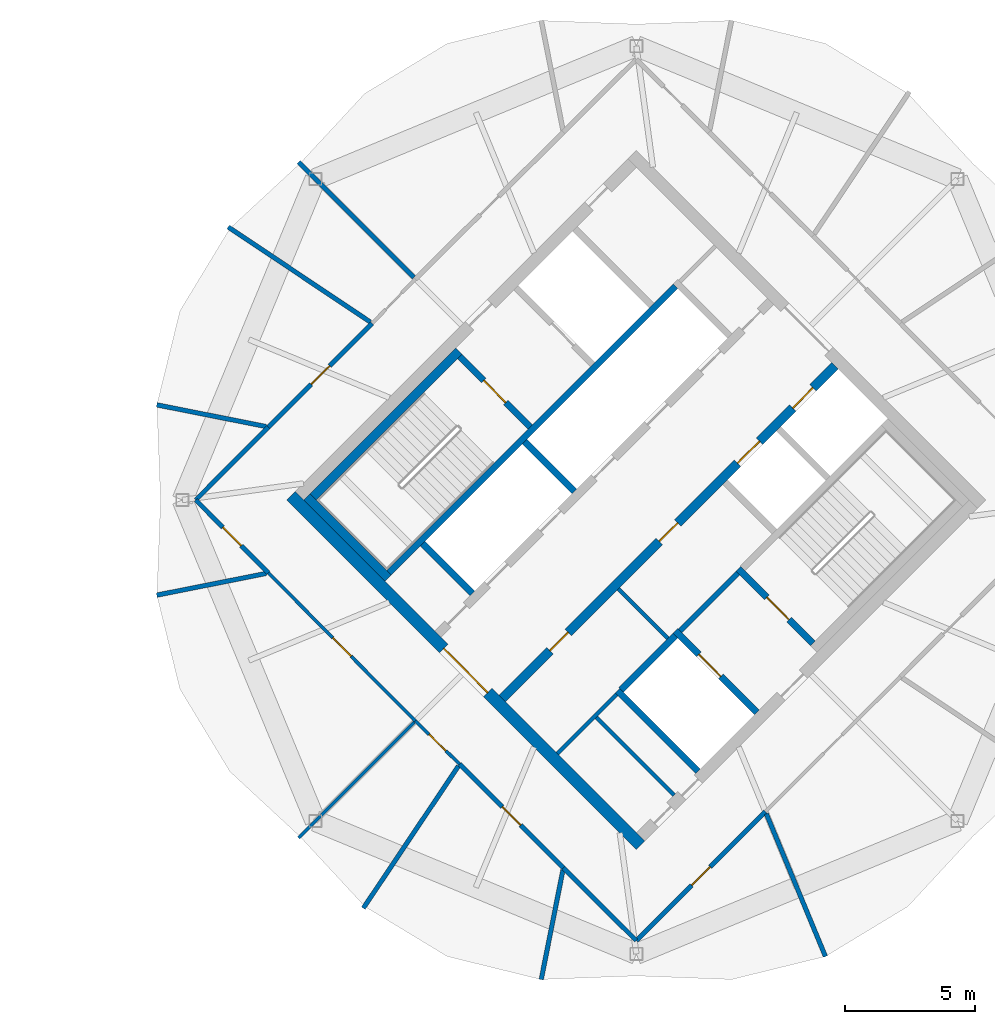
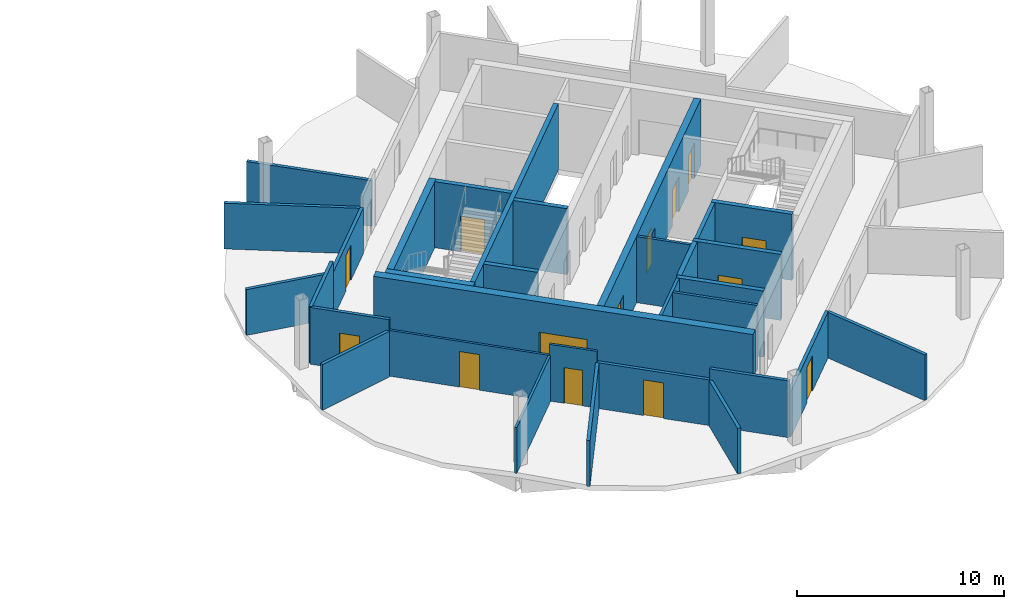
# One storey, part 7 of 11: 32 walls, 14 doors, 14 openings.
"""IFC4 building model written with IfcOpenShell, lengths in metres."""

from ifc_helpers import new_model, si_unit, direction, frame, frame_2d, origin, place, context, subcontext, project, spatial, rectangle, extrude, material, layer, layer_set, type_object, element, fill, save


model = new_model("IFC4")

# Units and contexts
model_context = context("Model", 3, precision=1e-05, world=origin(), true_north=direction((0.0, 1.0)))
body_context = subcontext(model_context, "Body", "Model", "MODEL_VIEW")
ifc_project = project(units=[si_unit("LENGTHUNIT", "METRE"), si_unit("AREAUNIT", "SQUARE_METRE"), si_unit("VOLUMEUNIT", "CUBIC_METRE"), si_unit("PLANEANGLEUNIT", "RADIAN"), si_unit("MASSUNIT", "GRAM", prefix="KILO")], contexts=[model_context])

# Site, building, storey
site_placement = place(None, origin())
site = spatial("IfcSite", under=ifc_project, at=site_placement, CompositionType="ELEMENT")
building_placement = place(site_placement, origin())
building = spatial("IfcBuilding", under=site, at=building_placement, Name="Ogive Gate Towers", CompositionType="ELEMENT")
storey_placement = place(building_placement, frame((0.0, 0.0, 289.800048828125)))
storey = spatial("IfcBuildingStorey", under=building, at=storey_placement, Name="L68", CompositionType="ELEMENT", Elevation=289.800048828125)

# Walls
ifc_material_1 = material(Name="Gypsum board acoustic partition")
ifc_layer_1 = layer(ifc_material_1, 0.175048828125)
ifc_layer_set_1 = layer_set([ifc_layer_1], Name="Acoustic partition 175")
wall_type_1 = type_object("IfcWallType", Name="Acoustic partition 175", PredefinedType="PARTITIONING", material=ifc_layer_set_1)
wall_1_placement = place(storey_placement, frame((23.00732421875, 12.99267578125, 0.0), z_axis=(0.0, 0.0, 1.0), x_axis=(0.707106781187, -0.707106781187, 0.0)))
element("IfcWall", 1, at=wall_1_placement, inside=storey, type_object=wall_type_1, Name="Partition T2-L68-005", PredefinedType="PARTITIONING", context=body_context, shape_type="SweptSolid", body=[
    extrude(rectangle(XDim=6.266845703125, YDim=0.175048828125, at=frame_2d((3.13330078125, 0.0))), origin(), (0.0, 0.0, 1.0), 2.699951171875),
])
wall_2_placement = place(storey_placement, frame((20.302490234375, 10.5, 0.0), z_axis=(0.0, 0.0, 1.0), x_axis=(0.831198479299, -0.555975798045, 0.0)))
element("IfcWall", 2, at=wall_2_placement, inside=storey, type_object=wall_type_1, Name="Partition T2-L68-006", PredefinedType="PARTITIONING", context=body_context, shape_type="SweptSolid", body=[
    extrude(rectangle(XDim=6.57763671875, YDim=0.175048828125, at=frame_2d((3.288818359375, 0.0))), origin(), (0.0, 0.0, 1.0), 2.699951171875),
])
for number, where, z_axis, x_axis, name in (
    (3, (17.559814453125, 3.658203125, 0.0), (0.0, 0.0, 1.0), (0.980890149708, -0.194562365851, 0.0), "Partition T2-L68-007"),
    (4, (17.559814453125, -3.658203125, 0.0), (0.0, 0.0, 1.0), (0.980890149708, 0.194562365851, 0.0), "Partition T2-L68-008"),
):
    element("IfcWall", number, at=place(storey_placement, frame(where, z_axis=z_axis, x_axis=x_axis)), inside=storey, type_object=wall_type_1, Name=name, PredefinedType="PARTITIONING", context=body_context, shape_type="SweptSolid", body=[
        extrude(rectangle(XDim=4.29150390625, YDim=0.175048828125, at=frame_2d((2.145751953125, 0.0))), origin(), (0.0, 0.0, 1.0), 2.699951171875),
    ])
wall_3_placement = place(storey_placement, frame((25.5, -15.697509765625, 0.0), z_axis=(0.0, 0.0, 1.0), x_axis=(0.555975798045, 0.831198479299, 0.0)))
element("IfcWall", 5, at=wall_3_placement, inside=storey, type_object=wall_type_1, Name="Partition T2-L68-010", PredefinedType="PARTITIONING", context=body_context, shape_type="SweptSolid", body=[
    extrude(rectangle(XDim=6.57763671875, YDim=0.175048828125, at=frame_2d((3.288818359375, 0.0))), origin(), (0.0, 0.0, 1.0), 2.699951171875),
])
wall_4_placement = place(storey_placement, frame((32.341796875, -18.440185546875, 0.0), z_axis=(0.0, 0.0, 1.0), x_axis=(0.194562365851, 0.980890149708, 0.0)))
element("IfcWall", 6, at=wall_4_placement, inside=storey, type_object=wall_type_1, Name="Partition T2-L68-011", PredefinedType="PARTITIONING", context=body_context, shape_type="SweptSolid", body=[
    extrude(rectangle(XDim=4.29150390625, YDim=0.175048828125, at=frame_2d((2.145751953125, 0.0))), origin(), (0.0, 0.0, 1.0), 2.699951171875),
])
wall_5_placement = place(storey_placement, frame((43.27099609375, -17.553955078125, 0.0), z_axis=(0.0, 0.0, 1.0), x_axis=(-0.382677198597, 0.923882114598, 0.0)))
element("IfcWall", 7, at=wall_5_placement, inside=storey, type_object=wall_type_1, Name="Partition T2-L68-012", PredefinedType="PARTITIONING", context=body_context, shape_type="SweptSolid", body=[
    extrude(rectangle(XDim=5.94140625, YDim=0.175048828125, at=frame_2d((2.970703125, 0.0))), origin(), (0.0, 0.0, 1.0), 2.699951171875),
])

# Wall, opening, door
wall_6_placement = place(storey_placement, frame((25.84228515625, 6.79443359375, 0.0), z_axis=(0.0, 0.0, 1.0), x_axis=(-0.70699854338, -0.707215002428, 0.0)))
wall_6 = element("IfcWall", 8, at=wall_6_placement, inside=storey, type_object=wall_type_1, Name="Partition T2-L68-025", PredefinedType="PARTITIONING", context=body_context, shape_type="SweptSolid", body=[
    extrude(rectangle(XDim=5.639404296875, YDim=0.175048828125, at=frame_2d((2.81982421875, 0.0))), origin(), (0.0, 0.0, 1.0), 2.699951171875),
])
opening_1_placement = place(wall_6_placement, frame((2.320068359375, 0.0, 0.0)))
opening_1 = element("IfcOpeningElement", 9, at=opening_1_placement, cuts=wall_6, Name="Opening T2-L68-D09", PredefinedType="OPENING", context=body_context, shape_type="SweptSolid", body=[
    extrude(rectangle(XDim=1.0, YDim=2.10009765625, at=frame_2d((0.5, 1.050048828125))), frame((0.0, 0.09765625, 0.0), z_axis=(0.0, -1.0, 0.0), x_axis=(1.0, 0.0, 0.0)), (0.0, 0.0, 1.0), 0.195068359375),
])
ifc_material_2 = material(Name="Timber door", Category="wood")
door_type_1 = type_object("IfcDoorType", Name="Door 1000", OperationType="NOTDEFINED", PredefinedType="DOOR", material=ifc_material_2)
door_1_placement = place(opening_1_placement, origin())
door_1 = element("IfcDoor", 10, at=door_1_placement, inside=storey, type_object=door_type_1, Name="Door T2-L68-D09", OperationType="SINGLE_SWING_LEFT", OverallHeight=2.10009765625, OverallWidth=1.0, PredefinedType="DOOR", context=body_context, shape_type="SweptSolid", body=[
    extrude(rectangle(XDim=1.0, YDim=2.10009765625, at=frame_2d((0.5, 1.050048828125))), frame((0.0, 0.02490234375, 0.0), z_axis=(0.0, -1.0, 0.0), x_axis=(1.0, 0.0, 0.0)), (0.0, 0.0, 1.0), 0.050048828125),
])
fill(opening_1, door_1)

wall_7_placement = place(storey_placement, frame((19.0576171875, 0.0, 0.0), z_axis=(0.0, 0.0, 1.0), x_axis=(0.706027724956, -0.708184193267, 0.0)))
wall_7 = element("IfcWall", 11, at=wall_7_placement, inside=storey, type_object=wall_type_1, Name="Partition T2-L68-026", PredefinedType="PARTITIONING", context=body_context, shape_type="SweptSolid", body=[
    extrude(rectangle(XDim=3.96240234375, YDim=0.175048828125, at=frame_2d((1.981201171875, 0.0))), origin(), (0.0, 0.0, 1.0), 3.349853515625),
])
opening_2_placement = place(wall_7_placement, frame((1.48095703125, 0.0, 0.0)))
opening_2 = element("IfcOpeningElement", 12, at=opening_2_placement, cuts=wall_7, Name="Opening T2-L68-D10", PredefinedType="OPENING", context=body_context, shape_type="SweptSolid", body=[
    extrude(rectangle(XDim=1.0, YDim=2.10009765625, at=frame_2d((0.5, 1.050048828125))), frame((0.0, 0.09765625, 0.0), z_axis=(0.0, -1.0, 0.0), x_axis=(1.0, 0.0, 0.0)), (0.0, 0.0, 1.0), 0.195068359375),
])
door_2_placement = place(opening_2_placement, origin())
door_2 = element("IfcDoor", 13, at=door_2_placement, inside=storey, type_object=door_type_1, Name="Door T2-L68-D10", OperationType="SINGLE_SWING_RIGHT", OverallHeight=2.10009765625, OverallWidth=1.0, PredefinedType="DOOR", context=body_context, shape_type="SweptSolid", body=[
    extrude(rectangle(XDim=1.0, YDim=2.10009765625, at=frame_2d((0.5, 1.050048828125))), frame((0.0, 0.02490234375, 0.0), z_axis=(0.0, -1.0, 0.0), x_axis=(1.0, 0.0, 0.0)), (0.0, 0.0, 1.0), 0.050048828125),
])
fill(opening_2, door_2)

# Wall
wall_8_placement = place(storey_placement, frame((21.855224609375, 2.80615234375, 0.0), z_axis=(0.0, 0.0, 1.0), x_axis=(-0.706027724956, -0.708184193267, 0.0)))
element("IfcWall", 14, at=wall_8_placement, inside=storey, type_object=wall_type_1, Name="Partition T2-L68-027", PredefinedType="PARTITIONING", context=body_context, shape_type="SweptSolid", body=[
    extrude(rectangle(XDim=3.96240234375, YDim=0.175048828125, at=frame_2d((1.981201171875, 0.0))), origin(), (0.0, 0.0, 1.0), 3.349853515625),
])

# Wall, opening, door
wall_9_placement = place(storey_placement, frame((29.20556640625, -10.15771484375, 0.0), z_axis=(0.0, 0.0, 1.0), x_axis=(0.707215002428, -0.70699854338, 0.0)))
wall_9 = element("IfcWall", 15, at=wall_9_placement, inside=storey, type_object=wall_type_1, Name="Partition T2-L68-030", PredefinedType="PARTITIONING", context=body_context, shape_type="SweptSolid", body=[
    extrude(rectangle(XDim=5.639404296875, YDim=0.175048828125, at=frame_2d((2.81982421875, 0.0))), origin(), (0.0, 0.0, 1.0), 2.699951171875),
])
opening_3_placement = place(wall_9_placement, frame((2.320068359375, 0.0, 0.0)))
opening_3 = element("IfcOpeningElement", 16, at=opening_3_placement, cuts=wall_9, Name="Opening T2-L68-D13", PredefinedType="OPENING", context=body_context, shape_type="SweptSolid", body=[
    extrude(rectangle(XDim=1.0, YDim=2.10009765625, at=frame_2d((0.5, 1.050048828125))), frame((0.0, 0.09765625, 0.0), z_axis=(0.0, -1.0, 0.0), x_axis=(1.0, 0.0, 0.0)), (0.0, 0.0, 1.0), 0.195068359375),
])
door_3_placement = place(opening_3_placement, origin())
door_3 = element("IfcDoor", 17, at=door_3_placement, inside=storey, type_object=door_type_1, Name="Door T2-L68-D13", OperationType="SINGLE_SWING_LEFT", OverallHeight=2.10009765625, OverallWidth=1.0, PredefinedType="DOOR", context=body_context, shape_type="SweptSolid", body=[
    extrude(rectangle(XDim=1.0, YDim=2.10009765625, at=frame_2d((0.5, 1.050048828125))), frame((0.0, 0.02490234375, 0.0), z_axis=(0.0, -1.0, 0.0), x_axis=(1.0, 0.0, 0.0)), (0.0, 0.0, 1.0), 0.050048828125),
])
fill(opening_3, door_3)

wall_10_placement = place(storey_placement, frame((36.0, -16.9423828125, 0.0), z_axis=(0.0, 0.0, 1.0), x_axis=(0.707489442879, 0.706723912299, 0.0)))
wall_10 = element("IfcWall", 18, at=wall_10_placement, inside=storey, type_object=wall_type_1, Name="Partition T2-L68-031", PredefinedType="PARTITIONING", context=body_context, shape_type="SweptSolid", body=[
    extrude(rectangle(XDim=7.01611328125, YDim=0.175048828125, at=frame_2d((3.508056640625, 0.0))), origin(), (0.0, 0.0, 1.0), 2.699951171875),
])
opening_4_placement = place(wall_10_placement, frame((3.008056640625, 0.0, 0.0)))
opening_4 = element("IfcOpeningElement", 19, at=opening_4_placement, cuts=wall_10, Name="Opening T2-L68-D14", PredefinedType="OPENING", context=body_context, shape_type="SweptSolid", body=[
    extrude(rectangle(XDim=1.0, YDim=2.10009765625, at=frame_2d((0.5, 1.050048828125))), frame((0.0, 0.09765625, 0.0), z_axis=(0.0, -1.0, 0.0), x_axis=(1.0, 0.0, 0.0)), (0.0, 0.0, 1.0), 0.195068359375),
])
door_4_placement = place(opening_4_placement, origin())
door_4 = element("IfcDoor", 20, at=door_4_placement, inside=storey, type_object=door_type_1, Name="Door T2-L68-D14", OperationType="SINGLE_SWING_LEFT", OverallHeight=2.10009765625, OverallWidth=1.0, PredefinedType="DOOR", context=body_context, shape_type="SweptSolid", body=[
    extrude(rectangle(XDim=1.0, YDim=2.10009765625, at=frame_2d((0.5, 1.050048828125))), frame((0.0, 0.02490234375, 0.0), z_axis=(0.0, -1.0, 0.0), x_axis=(1.0, 0.0, 0.0)), (0.0, 0.0, 1.0), 0.050048828125),
])
fill(opening_4, door_4)

# Walls
wall_11_placement = place(storey_placement, frame((33.19384765625, -14.144775390625, 0.0), z_axis=(0.0, 0.0, 1.0), x_axis=(0.708184193267, -0.706027724956, 0.0)))
element("IfcWall", 21, at=wall_11_placement, inside=storey, type_object=wall_type_1, Name="Partition T2-L68-032", PredefinedType="PARTITIONING", context=body_context, shape_type="SweptSolid", body=[
    extrude(rectangle(XDim=3.96240234375, YDim=0.175048828125, at=frame_2d((1.981201171875, 0.0))), origin(), (0.0, 0.0, 1.0), 3.349853515625),
])
ifc_material_3 = material(Name="Masonry blockwork", Category="masonry")
ifc_layer_2 = layer(ifc_material_3, 0.199951171875)
ifc_layer_set_2 = layer_set([ifc_layer_2], Name="Blockwork wall 200 mm")
wall_type_2 = type_object("IfcWallType", Name="Blockwork wall 200 mm", PredefinedType="PARTITIONING", material=ifc_layer_set_2)
wall_12_placement = place(storey_placement, frame((37.679443359375, -5.0380859375, 0.0), z_axis=(0.0, 0.0, 1.0), x_axis=(0.707106781187, 0.707106781187, 0.0)))
element("IfcWall", 22, at=wall_12_placement, inside=storey, type_object=wall_type_2, Name="T2 L68 Blockwork wall 200 mm", PredefinedType="PARTITIONING", context=body_context, shape_type="SweptSolid", body=[
    extrude(rectangle(XDim=3.14990234375, YDim=0.199951171875, at=frame_2d((1.574951171875, 0.0))), origin(), (0.0, 0.0, 1.0), 3.89990234375),
])

# Wall, opening, door
ifc_material_4 = material(Name="Concrete C60/75", Category="concrete")
ifc_layer_3 = layer(ifc_material_4, 0.449951171875)
ifc_layer_set_3 = layer_set([ifc_layer_3], Name="Core wall 450 mm")
wall_type_3 = type_object("IfcWallType", Name="Core wall 450 mm", PredefinedType="SHEAR", material=ifc_layer_set_3)
wall_13_placement = place(storey_placement, frame((36.1591796875, -13.27587890625, 0.0), z_axis=(0.0, 0.0, 1.0), x_axis=(-0.707106781187, 0.707106781187, 0.0)))
wall_13 = element("IfcWall", 23, at=wall_13_placement, inside=storey, type_object=wall_type_3, Name="T2 L68 Core wall 450 mm", PredefinedType="SHEAR", context=body_context, shape_type="SweptSolid", body=[
    extrude(rectangle(XDim=19.0, YDim=0.449951171875, at=frame_2d((9.5, 0.0))), origin(), (0.0, 0.0, 1.0), 3.89990234375),
])
opening_5_placement = place(wall_13_placement, frame((8.300048828125, 0.0, 0.0)))
opening_5 = element("IfcOpeningElement", 24, at=opening_5_placement, cuts=wall_13, Name="Opening KD-T2-L68-01", PredefinedType="OPENING", context=body_context, shape_type="SweptSolid", body=[
    extrude(rectangle(XDim=2.39990234375, YDim=2.10009765625, at=frame_2d((1.199951171875, 1.050048828125))), frame((0.0, 0.23486328125, 0.0), z_axis=(0.0, -1.0, 0.0), x_axis=(1.0, 0.0, 0.0)), (0.0, 0.0, 1.0), 0.469970703125),
])
ifc_material_5 = material(Name="Steel fire door", Category="steel")
door_type_2 = type_object("IfcDoorType", Name="Core double door FD60S 2400 x 2100", OperationType="DOUBLE_DOOR_SINGLE_SWING", PredefinedType="DOOR", material=ifc_material_5)
door_5_placement = place(opening_5_placement, origin())
door_5 = element("IfcDoor", 25, at=door_5_placement, inside=storey, type_object=door_type_2, Name="T2 L68 Core door double", OperationType="DOUBLE_DOOR_SINGLE_SWING", OverallHeight=2.10009765625, OverallWidth=2.39990234375, PredefinedType="DOOR", context=body_context, shape_type="SweptSolid", body=[
    extrude(rectangle(XDim=2.39990234375, YDim=2.10009765625, at=frame_2d((1.199951171875, 1.050048828125))), frame((0.0, 0.02490234375, 0.0), z_axis=(0.0, -1.0, 0.0), x_axis=(1.0, 0.0, 0.0)), (0.0, 0.0, 1.0), 0.050048828125),
])
fill(opening_5, door_5)

# Wall
ifc_material_6 = material(Name="Gypsum board partition")
ifc_layer_4 = layer(ifc_material_6, 0.125)
ifc_layer_set_4 = layer_set([ifc_layer_4], Name="Partition 125")
wall_type_4 = type_object("IfcWallType", Name="Partition 125", PredefinedType="PARTITIONING", material=ifc_layer_set_4)
wall_14_placement = place(storey_placement, frame((23.00732421875, -12.99267578125, 0.0), z_axis=(0.0, 0.0, 1.0), x_axis=(0.707106781187, 0.707106781187, 0.0)))
element("IfcWall", 26, at=wall_14_placement, inside=storey, type_object=wall_type_4, Name="Partition T2-L68-009", PredefinedType="PARTITIONING", context=body_context, shape_type="SweptSolid", body=[
    extrude(rectangle(XDim=6.291748046875, YDim=0.125, at=frame_2d((3.14599609375, 0.0))), origin(), (0.0, 0.0, 1.0), 2.699951171875),
])

# Wall, opening, door
wall_15_placement = place(storey_placement, frame((21.855224609375, -2.80615234375, 0.0), z_axis=(0.0, 0.0, 1.0), x_axis=(0.704101070588, -0.710099769326, 0.0)))
wall_15 = element("IfcWall", 27, at=wall_15_placement, inside=storey, type_object=wall_type_4, Name="Partition T2-L68-028", PredefinedType="PARTITIONING", context=body_context, shape_type="SweptSolid", body=[
    extrude(rectangle(XDim=8.017578125, YDim=0.125, at=frame_2d((4.0087890625, 0.0))), origin(), (0.0, 0.0, 1.0), 2.699951171875),
])
opening_6_placement = place(wall_15_placement, frame((3.509033203125, 0.0, 0.0)))
opening_6 = element("IfcOpeningElement", 28, at=opening_6_placement, cuts=wall_15, Name="Opening T2-L68-D11", PredefinedType="OPENING", context=body_context, shape_type="SweptSolid", body=[
    extrude(rectangle(XDim=1.0, YDim=2.10009765625, at=frame_2d((0.5, 1.050048828125))), frame((0.0, 0.072509765625, 0.0), z_axis=(0.0, -1.0, 0.0), x_axis=(1.0, 0.0, 0.0)), (0.0, 0.0, 1.0), 0.14501953125),
])
door_6_placement = place(opening_6_placement, origin())
door_6 = element("IfcDoor", 29, at=door_6_placement, inside=storey, type_object=door_type_1, Name="Door T2-L68-D11", OperationType="SINGLE_SWING_RIGHT", OverallHeight=2.10009765625, OverallWidth=1.0, PredefinedType="DOOR", context=body_context, shape_type="SweptSolid", body=[
    extrude(rectangle(XDim=1.0, YDim=2.10009765625, at=frame_2d((0.5, 1.050048828125))), frame((0.0, 0.02490234375, 0.0), z_axis=(0.0, -1.0, 0.0), x_axis=(1.0, 0.0, 0.0)), (0.0, 0.0, 1.0), 0.050048828125),
])
fill(opening_6, door_6)

wall_16_placement = place(storey_placement, frame((27.50048828125, -8.49951171875, 0.0), z_axis=(0.0, 0.0, 1.0), x_axis=(0.716892303954, -0.697183924464, 0.0)))
wall_16 = element("IfcWall", 30, at=wall_16_placement, inside=storey, type_object=wall_type_4, Name="Partition T2-L68-029", PredefinedType="PARTITIONING", context=body_context, shape_type="SweptSolid", body=[
    extrude(rectangle(XDim=2.37841796875, YDim=0.125, at=frame_2d((1.189208984375, 0.0))), origin(), (0.0, 0.0, 1.0), 3.349853515625),
])
opening_7_placement = place(wall_16_placement, frame((0.739013671875, 0.0, 0.0)))
opening_7 = element("IfcOpeningElement", 31, at=opening_7_placement, cuts=wall_16, Name="Opening T2-L68-D12", PredefinedType="OPENING", context=body_context, shape_type="SweptSolid", body=[
    extrude(rectangle(XDim=0.89990234375, YDim=2.10009765625, at=frame_2d((0.449951171875, 1.050048828125))), frame((0.0, 0.072509765625, 0.0), z_axis=(0.0, -1.0, 0.0), x_axis=(1.0, 0.0, 0.0)), (0.0, 0.0, 1.0), 0.14501953125),
])
door_type_3 = type_object("IfcDoorType", Name="Door 900", OperationType="NOTDEFINED", PredefinedType="DOOR", material=ifc_material_2)
door_7_placement = place(opening_7_placement, origin())
door_7 = element("IfcDoor", 32, at=door_7_placement, inside=storey, type_object=door_type_3, Name="Door T2-L68-D12", OperationType="SINGLE_SWING_LEFT", OverallHeight=2.10009765625, OverallWidth=0.89990234375, PredefinedType="DOOR", context=body_context, shape_type="SweptSolid", body=[
    extrude(rectangle(XDim=0.89990234375, YDim=2.10009765625, at=frame_2d((0.449951171875, 1.050048828125))), frame((0.0, 0.02490234375, 0.0), z_axis=(0.0, -1.0, 0.0), x_axis=(1.0, 0.0, 0.0)), (0.0, 0.0, 1.0), 0.050048828125),
])
fill(opening_7, door_7)

# Walls
ifc_layer_5 = layer(ifc_material_6, 0.14990234375)
ifc_layer_set_5 = layer_set([ifc_layer_5], Name="Room partition 150 mm")
wall_type_5 = type_object("IfcWallType", Name="Room partition 150 mm", PredefinedType="PARTITIONING", material=ifc_layer_set_5)
wall_17_placement = place(storey_placement, frame((32.95947265625, -9.758056640625, 0.0), z_axis=(0.0, 0.0, 1.0), x_axis=(0.707144631829, 0.707068928518, 0.0)))
element("IfcWall", 33, at=wall_17_placement, inside=storey, type_object=wall_type_5, Name="T2 L68 Room partition 150 mm", PredefinedType="PARTITIONING", context=body_context, shape_type="SweptSolid", body=[
    extrude(rectangle(XDim=3.224853515625, YDim=0.14990234375, at=frame_2d((1.6123046875, 0.0))), origin(), (0.0, 0.0, 1.0), 3.89990234375),
])
wall_18_placement = place(storey_placement, frame((37.44970703125, -11.34912109375, 0.0), z_axis=(0.0, 0.0, 1.0), x_axis=(-0.707135671578, 0.707077889614, 0.0)))
element("IfcWall", 34, at=wall_18_placement, inside=storey, type_object=wall_type_5, Name="T2 L68 Room partition 150 mm", PredefinedType="PARTITIONING", context=body_context, shape_type="SweptSolid", body=[
    extrude(rectangle(XDim=4.22509765625, YDim=0.14990234375, at=frame_2d((2.112548828125, 0.0))), origin(), (0.0, 0.0, 1.0), 3.89990234375),
])
wall_19_placement = place(storey_placement, frame((37.2197265625, -5.321044921875, 0.0), z_axis=(0.0, 0.0, 1.0), x_axis=(-0.707106781187, 0.707106781187, 0.0)))
element("IfcWall", 35, at=wall_19_placement, inside=storey, type_object=wall_type_5, Name="T2 L68 Room partition 150 mm", PredefinedType="PARTITIONING", context=body_context, shape_type="SweptSolid", body=[
    extrude(rectangle(XDim=2.699951171875, YDim=0.14990234375, at=frame_2d((1.35009765625, 0.0))), origin(), (0.0, 0.0, 1.0), 3.89990234375),
])
ifc_layer_6 = layer(ifc_material_4, 0.25)
ifc_layer_set_6 = layer_set([ifc_layer_6], Name="Shaft wall 250 mm")
wall_type_6 = type_object("IfcWallType", Name="Shaft wall 250 mm", PredefinedType="SHEAR", material=ifc_layer_set_6)
wall_20_placement = place(storey_placement, frame((35.41650390625, -7.30078125, 0.0), z_axis=(0.0, 0.0, 1.0), x_axis=(0.707148157867, 0.707065402085, 0.0)))
element("IfcWall", 36, at=wall_20_placement, inside=storey, type_object=wall_type_6, Name="T2 L68 Shaft wall 250 mm", PredefinedType="SHEAR", context=body_context, shape_type="SweptSolid", body=[
    extrude(rectangle(XDim=2.9501953125, YDim=0.25, at=frame_2d((1.47509765625, 0.0))), origin(), (0.0, 0.0, 1.0), 3.89990234375),
])
wall_21_placement = place(storey_placement, frame((26.489501953125, -2.793212890625, 0.0), z_axis=(0.0, 0.0, 1.0), x_axis=(0.707098943647, 0.70711461864, 0.0)))
element("IfcWall", 37, at=wall_21_placement, inside=storey, type_object=wall_type_6, Name="T2 L68 Shaft wall 250 mm", PredefinedType="SHEAR", context=body_context, shape_type="SweptSolid", body=[
    extrude(rectangle(XDim=15.5751953125, YDim=0.25, at=frame_2d((7.78759765625, 0.0))), origin(), (0.0, 0.0, 1.0), 3.89990234375),
])
wall_22_placement = place(storey_placement, frame((29.689208984375, -3.588623046875, 0.0), z_axis=(0.0, 0.0, 1.0), x_axis=(-0.707151988282, 0.707061571201, 0.0)))
element("IfcWall", 38, at=wall_22_placement, inside=storey, type_object=wall_type_6, Name="T2 L68 Shaft wall 250 mm", PredefinedType="SHEAR", context=body_context, shape_type="SweptSolid", body=[
    extrude(rectangle(XDim=2.7001953125, YDim=0.25, at=frame_2d((1.35009765625, 0.0))), origin(), (0.0, 0.0, 1.0), 3.89990234375),
])
wall_23_placement = place(storey_placement, frame((38.368896484375, -10.4296875, 0.0), z_axis=(0.0, 0.0, 1.0), x_axis=(-0.707134682099, 0.707078879173, 0.0)))
element("IfcWall", 39, at=wall_23_placement, inside=storey, type_object=wall_type_6, Name="T2 L68 Shaft wall 250 mm", PredefinedType="SHEAR", context=body_context, shape_type="SweptSolid", body=[
    extrude(rectangle(XDim=4.375, YDim=0.25, at=frame_2d((2.1875, 0.0))), origin(), (0.0, 0.0, 1.0), 3.89990234375),
])

# Wall, opening, door
wall_24_placement = place(storey_placement, frame((40.631591796875, -8.1669921875, 0.0), z_axis=(0.0, 0.0, 1.0), x_axis=(-0.707106781187, 0.707106781187, 0.0)))
wall_24 = element("IfcWall", 40, at=wall_24_placement, inside=storey, type_object=wall_type_6, Name="T2 L68 Shaft wall 250 mm", PredefinedType="SHEAR", context=body_context, shape_type="SweptSolid", body=[
    extrude(rectangle(XDim=4.425048828125, YDim=0.25, at=frame_2d((2.21240234375, 0.0))), origin(), (0.0, 0.0, 1.0), 3.89990234375),
])
opening_8_placement = place(wall_24_placement, frame((1.949951171875, 0.0, 0.0)))
opening_8 = element("IfcOpeningElement", 41, at=opening_8_placement, cuts=wall_24, Name="Opening LD-T2-L68-13", PredefinedType="OPENING", context=body_context, shape_type="SweptSolid", body=[
    extrude(rectangle(XDim=1.199951171875, YDim=2.10009765625, at=frame_2d((0.60009765625, 1.050048828125))), frame((0.0, 0.135009765625, 0.0), z_axis=(0.0, -1.0, 0.0), x_axis=(1.0, 0.0, 0.0)), (0.0, 0.0, 1.0), 0.27001953125),
])
ifc_material_7 = material(Name="Stainless steel landing door", Category="steel")
door_type_4 = type_object("IfcDoorType", Name="Landing door 1200 x 2100", OperationType="SLIDING_TO_LEFT", PredefinedType="DOOR", material=ifc_material_7)
door_8_placement = place(opening_8_placement, origin())
door_8 = element("IfcDoor", 42, at=door_8_placement, inside=storey, type_object=door_type_4, Name="T2 L68 Lift landing door FF2", OperationType="SLIDING_TO_LEFT", OverallHeight=2.10009765625, OverallWidth=1.199951171875, PredefinedType="DOOR", context=body_context, shape_type="SweptSolid", body=[
    extrude(rectangle(XDim=1.199951171875, YDim=2.10009765625, at=frame_2d((0.60009765625, 1.050048828125))), frame((0.0, 0.02490234375, 0.0), z_axis=(0.0, -1.0, 0.0), x_axis=(1.0, 0.0, 0.0)), (0.0, 0.0, 1.0), 0.050048828125),
])
fill(opening_8, door_8)

# Wall
wall_25_placement = place(storey_placement, frame((33.613525390625, 0.3359375, 0.0), z_axis=(0.0, 0.0, 1.0), x_axis=(-0.707106781187, 0.707106781187, 0.0)))
element("IfcWall", 43, at=wall_25_placement, inside=storey, type_object=wall_type_6, Name="T2 L68 Shaft wall 250 mm", PredefinedType="SHEAR", context=body_context, shape_type="SweptSolid", body=[
    extrude(rectangle(XDim=2.699951171875, YDim=0.25, at=frame_2d((1.35009765625, 0.0))), origin(), (0.0, 0.0, 1.0), 3.89990234375),
])

# Wall, opening, door
wall_26_placement = place(storey_placement, frame((31.91650390625, 2.810791015625, 0.0), z_axis=(0.0, 0.0, 1.0), x_axis=(-0.707106781187, 0.707106781187, 0.0)))
wall_26 = element("IfcWall", 44, at=wall_26_placement, inside=storey, type_object=wall_type_6, Name="T2 L68 Shaft wall 250 mm", PredefinedType="SHEAR", context=body_context, shape_type="SweptSolid", body=[
    extrude(rectangle(XDim=3.824951171875, YDim=0.25, at=frame_2d((1.91259765625, 0.0))), origin(), (0.0, 0.0, 1.0), 3.89990234375),
])
opening_9_placement = place(wall_26_placement, frame((1.324951171875, 0.0, 0.0)))
opening_9 = element("IfcOpeningElement", 45, at=opening_9_placement, cuts=wall_26, Name="Opening KD-T2-L68-16", PredefinedType="OPENING", context=body_context, shape_type="SweptSolid", body=[
    extrude(rectangle(XDim=1.199951171875, YDim=2.10009765625, at=frame_2d((0.60009765625, 1.050048828125))), frame((0.0, 0.135009765625, 0.0), z_axis=(0.0, -1.0, 0.0), x_axis=(1.0, 0.0, 0.0)), (0.0, 0.0, 1.0), 0.27001953125),
])
door_type_5 = type_object("IfcDoorType", Name="Core door FD60S 1200 x 2100", OperationType="NOTDEFINED", PredefinedType="DOOR", material=ifc_material_5)
door_9_placement = place(opening_9_placement, origin())
door_9 = element("IfcDoor", 46, at=door_9_placement, inside=storey, type_object=door_type_5, Name="T2 L68 Stair door", OperationType="SINGLE_SWING_LEFT", OverallHeight=2.10009765625, OverallWidth=1.199951171875, PredefinedType="DOOR", context=body_context, shape_type="SweptSolid", body=[
    extrude(rectangle(XDim=1.199951171875, YDim=2.10009765625, at=frame_2d((0.60009765625, 1.050048828125))), frame((0.0, 0.02490234375, 0.0), z_axis=(0.0, -1.0, 0.0), x_axis=(1.0, 0.0, 0.0)), (0.0, 0.0, 1.0), 0.050048828125),
])
fill(opening_9, door_9)

wall_27_placement = place(storey_placement, frame((42.7880859375, -5.515380859375, 0.0), z_axis=(0.0, 0.0, 1.0), x_axis=(-0.707106781187, 0.707106781187, 0.0)))
wall_27 = element("IfcWall", 47, at=wall_27_placement, inside=storey, type_object=wall_type_6, Name="T2 L68 Shaft wall 250 mm", PredefinedType="SHEAR", context=body_context, shape_type="SweptSolid", body=[
    extrude(rectangle(XDim=4.050048828125, YDim=0.25, at=frame_2d((2.02490234375, 0.0))), origin(), (0.0, 0.0, 1.0), 3.89990234375),
])
opening_10_placement = place(wall_27_placement, frame((1.300048828125, 0.0, 0.0)))
opening_10 = element("IfcOpeningElement", 48, at=opening_10_placement, cuts=wall_27, Name="Opening KD-T2-L68-17", PredefinedType="OPENING", context=body_context, shape_type="SweptSolid", body=[
    extrude(rectangle(XDim=1.199951171875, YDim=2.10009765625, at=frame_2d((0.60009765625, 1.050048828125))), frame((0.0, 0.135009765625, 0.0), z_axis=(0.0, -1.0, 0.0), x_axis=(1.0, 0.0, 0.0)), (0.0, 0.0, 1.0), 0.27001953125),
])
door_10_placement = place(opening_10_placement, origin())
door_10 = element("IfcDoor", 49, at=door_10_placement, inside=storey, type_object=door_type_5, Name="T2 L68 Stair door", OperationType="SINGLE_SWING_RIGHT", OverallHeight=2.10009765625, OverallWidth=1.199951171875, PredefinedType="DOOR", context=body_context, shape_type="SweptSolid", body=[
    extrude(rectangle(XDim=1.199951171875, YDim=2.10009765625, at=frame_2d((0.60009765625, 1.050048828125))), frame((0.0, 0.02490234375, 0.0), z_axis=(0.0, -1.0, 0.0), x_axis=(1.0, 0.0, 0.0)), (0.0, 0.0, 1.0), 0.050048828125),
])
fill(opening_10, door_10)

# Wall, openings, doors
ifc_layer_7 = layer(ifc_material_4, 0.35009765625)
ifc_layer_set_7 = layer_set([ifc_layer_7], Name="Spine wall 350 mm")
wall_type_7 = type_object("IfcWallType", Name="Spine wall 350 mm", PredefinedType="SHEAR", material=ifc_layer_set_7)
wall_28_placement = place(storey_placement, frame((30.838134765625, -7.63671875, 0.0), z_axis=(0.0, 0.0, 1.0), x_axis=(0.707106781187, 0.707106781187, 0.0)))
wall_28 = element("IfcWall", 50, at=wall_28_placement, inside=storey, type_object=wall_type_7, Name="T2 L68 Spine wall 350 mm", PredefinedType="SHEAR", context=body_context, shape_type="SweptSolid", body=[
    extrude(rectangle(XDim=18.099853515625, YDim=0.35009765625, at=frame_2d((9.0498046875, 0.0))), origin(), (0.0, 0.0, 1.0), 3.89990234375),
])
opening_11_placement = place(wall_28_placement, frame((12.800048828125, 0.0, 0.0)))
opening_11 = element("IfcOpeningElement", 51, at=opening_11_placement, cuts=wall_28, Name="Opening LD-T2-L68-10", PredefinedType="OPENING", context=body_context, shape_type="SweptSolid", body=[
    extrude(rectangle(XDim=1.199951171875, YDim=2.10009765625, at=frame_2d((0.60009765625, 1.050048828125))), frame((0.0, 0.18505859375, 0.0), z_axis=(0.0, -1.0, 0.0), x_axis=(1.0, 0.0, 0.0)), (0.0, 0.0, 1.0), 0.3701171875),
])
opening_12_placement = place(wall_28_placement, frame((15.800048828125, 0.0, 0.0)))
opening_12 = element("IfcOpeningElement", 52, at=opening_12_placement, cuts=wall_28, Name="Opening LD-T2-L68-11", PredefinedType="OPENING", context=body_context, shape_type="SweptSolid", body=[
    extrude(rectangle(XDim=1.10009765625, YDim=2.10009765625, at=frame_2d((0.550048828125, 1.050048828125))), frame((0.0, 0.18505859375, 0.0), z_axis=(0.0, -1.0, 0.0), x_axis=(1.0, 0.0, 0.0)), (0.0, 0.0, 1.0), 0.3701171875),
])
opening_13_placement = place(wall_28_placement, frame((2.60009765625, 0.0, 0.0)))
opening_13 = element("IfcOpeningElement", 53, at=opening_13_placement, cuts=wall_28, Name="Opening KD-T2-L68-14", PredefinedType="OPENING", context=body_context, shape_type="SweptSolid", body=[
    extrude(rectangle(XDim=1.0, YDim=2.10009765625, at=frame_2d((0.5, 1.050048828125))), frame((0.0, 0.18505859375, 0.0), z_axis=(0.0, -1.0, 0.0), x_axis=(1.0, 0.0, 0.0)), (0.0, 0.0, 1.0), 0.3701171875),
])
opening_14_placement = place(wall_28_placement, frame((8.550048828125, 0.0, 0.0)))
opening_14 = element("IfcOpeningElement", 54, at=opening_14_placement, cuts=wall_28, Name="Opening KD-T2-L68-15", PredefinedType="OPENING", context=body_context, shape_type="SweptSolid", body=[
    extrude(rectangle(XDim=1.0, YDim=2.10009765625, at=frame_2d((0.5, 1.050048828125))), frame((0.0, 0.18505859375, 0.0), z_axis=(0.0, -1.0, 0.0), x_axis=(1.0, 0.0, 0.0)), (0.0, 0.0, 1.0), 0.3701171875),
])
door_type_6 = type_object("IfcDoorType", Name="Core door FD60S 1000 x 2100", OperationType="NOTDEFINED", PredefinedType="DOOR", material=ifc_material_5)
door_11_placement = place(opening_13_placement, origin())
door_11 = element("IfcDoor", 55, at=door_11_placement, inside=storey, type_object=door_type_6, Name="T2 L68 Core door", OperationType="SINGLE_SWING_LEFT", OverallHeight=2.10009765625, OverallWidth=1.0, PredefinedType="DOOR", context=body_context, shape_type="SweptSolid", body=[
    extrude(rectangle(XDim=1.0, YDim=2.10009765625, at=frame_2d((0.5, 1.050048828125))), frame((0.0, 0.02490234375, 0.0), z_axis=(0.0, -1.0, 0.0), x_axis=(1.0, 0.0, 0.0)), (0.0, 0.0, 1.0), 0.050048828125),
])
fill(opening_13, door_11)
door_12_placement = place(opening_14_placement, origin())
door_12 = element("IfcDoor", 56, at=door_12_placement, inside=storey, type_object=door_type_6, Name="T2 L68 Core door", OperationType="SINGLE_SWING_RIGHT", OverallHeight=2.10009765625, OverallWidth=1.0, PredefinedType="DOOR", context=body_context, shape_type="SweptSolid", body=[
    extrude(rectangle(XDim=1.0, YDim=2.10009765625, at=frame_2d((0.5, 1.050048828125))), frame((0.0, 0.02490234375, 0.0), z_axis=(0.0, -1.0, 0.0), x_axis=(1.0, 0.0, 0.0)), (0.0, 0.0, 1.0), 0.050048828125),
])
fill(opening_14, door_12)
door_type_7 = type_object("IfcDoorType", Name="Landing door 1100 x 2100", OperationType="SLIDING_TO_LEFT", PredefinedType="DOOR", material=ifc_material_7)
door_13_placement = place(opening_12_placement, origin())
door_13 = element("IfcDoor", 57, at=door_13_placement, inside=storey, type_object=door_type_7, Name="T2 L68 Lift landing door B6", OperationType="SLIDING_TO_LEFT", OverallHeight=2.10009765625, OverallWidth=1.10009765625, PredefinedType="DOOR", context=body_context, shape_type="SweptSolid", body=[
    extrude(rectangle(XDim=1.10009765625, YDim=2.10009765625, at=frame_2d((0.550048828125, 1.050048828125))), frame((0.0, 0.02490234375, 0.0), z_axis=(0.0, -1.0, 0.0), x_axis=(1.0, 0.0, 0.0)), (0.0, 0.0, 1.0), 0.050048828125),
])
fill(opening_12, door_13)
door_14_placement = place(opening_11_placement, origin())
door_14 = element("IfcDoor", 58, at=door_14_placement, inside=storey, type_object=door_type_4, Name="T2 L68 Lift landing door SVC", OperationType="SLIDING_TO_LEFT", OverallHeight=2.10009765625, OverallWidth=1.199951171875, PredefinedType="DOOR", context=body_context, shape_type="SweptSolid", body=[
    extrude(rectangle(XDim=1.199951171875, YDim=2.10009765625, at=frame_2d((0.60009765625, 1.050048828125))), frame((0.0, 0.02490234375, 0.0), z_axis=(0.0, -1.0, 0.0), x_axis=(1.0, 0.0, 0.0)), (0.0, 0.0, 1.0), 0.050048828125),
])
fill(opening_11, door_14)

# Walls
ifc_layer_8 = layer(ifc_material_4, 0.35009765625)
ifc_layer_set_8 = layer_set([ifc_layer_8], Name="Stair wall 350 mm")
wall_type_8 = type_object("IfcWallType", Name="Stair wall 350 mm", PredefinedType="SHEAR", material=ifc_layer_set_8)
wall_29_placement = place(storey_placement, frame((23.572509765625, 0.123779296875, 0.0), z_axis=(0.0, 0.0, 1.0), x_axis=(0.707122184046, 0.707091377991, 0.0)))
element("IfcWall", 59, at=wall_29_placement, inside=storey, type_object=wall_type_8, Name="T2 L68 Stair wall 350 mm", PredefinedType="SHEAR", context=body_context, shape_type="SweptSolid", body=[
    extrude(rectangle(XDim=7.925048828125, YDim=0.35009765625, at=frame_2d((3.96240234375, 0.0))), origin(), (0.0, 0.0, 1.0), 3.89990234375),
])
wall_30_placement = place(storey_placement, frame((26.4541015625, -3.005126953125, 0.0), z_axis=(0.0, 0.0, 1.0), x_axis=(-0.707106781187, 0.707106781187, 0.0)))
element("IfcWall", 60, at=wall_30_placement, inside=storey, type_object=wall_type_8, Name="T2 L68 Stair wall 350 mm", PredefinedType="SHEAR", context=body_context, shape_type="SweptSolid", body=[
    extrude(rectangle(XDim=4.425048828125, YDim=0.35009765625, at=frame_2d((2.21240234375, 0.0))), origin(), (0.0, 0.0, 1.0), 3.89990234375),
])

save(model, "model.ifc")
